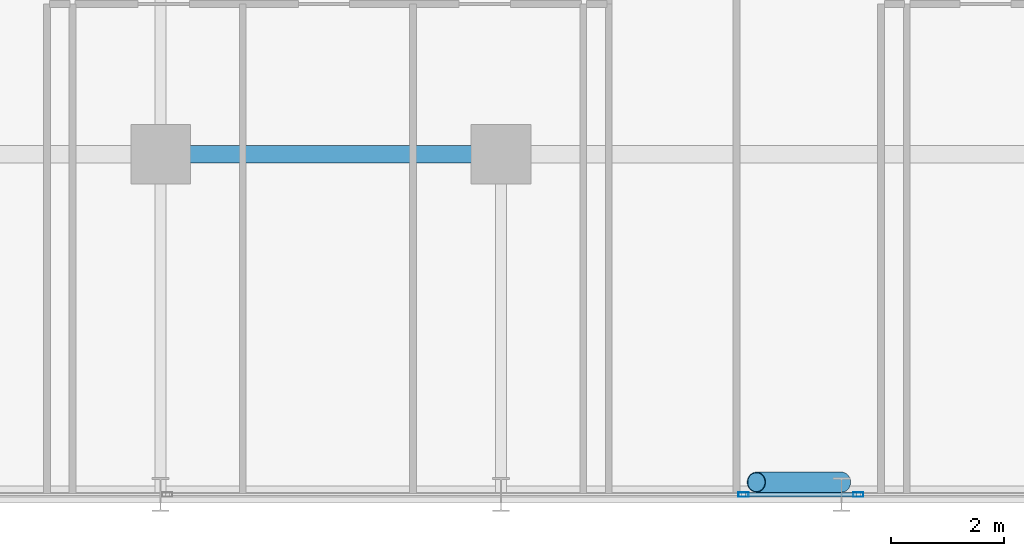
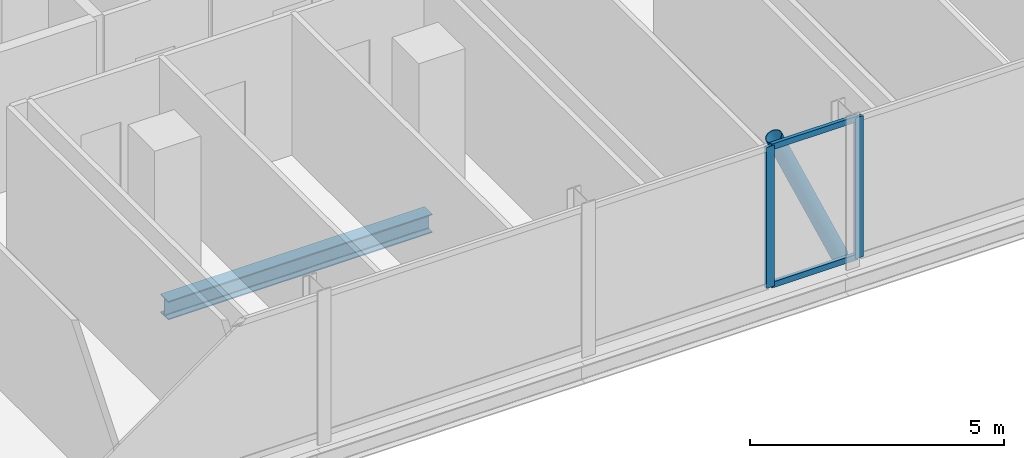
# One storey, part 8 of 29: 5 members, 1 beam, 2 elements without a shape of their own.
"""IFC4 building model written with IfcOpenShell, lengths in metres."""

from ifc_helpers import new_model, si_unit, direction, frame, origin, origin_2d, place, context, subcontext, project, spatial, hollow_rectangle, hollow_circle, i_section, extrude, material, layer, layer_set, material_profile, profile_set, type_object, element, aggregate, save


model = new_model("IFC4")

# Units and contexts
model_context = context("Model", 3, precision=1e-05, world=origin(), true_north=direction((0.0, 1.0)))
body_context = subcontext(model_context, "Body", "Model", "MODEL_VIEW")
ifc_project = project(units=[si_unit("LENGTHUNIT", "METRE"), si_unit("AREAUNIT", "SQUARE_METRE"), si_unit("VOLUMEUNIT", "CUBIC_METRE"), si_unit("PLANEANGLEUNIT", "RADIAN"), si_unit("MASSUNIT", "GRAM", prefix="KILO")], contexts=[model_context])

# Site, building, storey
site_placement = place(None, origin())
site = spatial("IfcSite", under=ifc_project, at=site_placement, CompositionType="ELEMENT")
building_placement = place(site_placement, origin())
building = spatial("IfcBuilding", under=site, at=building_placement, Name="Keshet Zoharim Tower", CompositionType="ELEMENT")
storey_placement = place(building_placement, frame((0.0, 0.0, 105.699951171875)))
storey = spatial("IfcBuildingStorey", under=building, at=storey_placement, Name="L25", CompositionType="ELEMENT", Elevation=105.699951171875)

# Beam
ifc_material_1 = material(Name="Steel S355", Category="steel")
ifc_material_profile_1 = material_profile(ifc_material_1, i_section(OverallWidth=0.300048828125, OverallDepth=0.449951171875, WebThickness=0.013916015625, FlangeThickness=0.02587890625, FilletRadius=0.027099609375, at=origin_2d()), Name="HEB450")
ifc_profile_set_1 = profile_set([ifc_material_profile_1], Name="Steel S355")
beam_type = type_object("IfcBeamType", Name="BM-WEB-HB450", PredefinedType="BEAM", material=ifc_profile_set_1)
beam_placement = place(storey_placement, frame((33.0, 6.699951171875, -0.5400390625), z_axis=(1.0, 0.0, 0.0), x_axis=(0.0, 1.0, 0.0)))
element("IfcBeam", 1, at=beam_placement, inside=storey, type_object=beam_type, Name="L25 Primary Girder X-007", PredefinedType="BEAM", context=body_context, shape_type="SweptSolid", body=[
    extrude(i_section(OverallWidth=0.300048828125, OverallDepth=0.449951171875, WebThickness=0.013916015625, FlangeThickness=0.02587890625, FilletRadius=0.027099609375, at=origin_2d()), origin(), (0.0, 0.0, 1.0), 6.0),
])

# Curtain wall, member
ifc_material_2 = material(Name="Aluminium 6063-T6", Category="aluminium")
ifc_layer = layer(ifc_material_2, 0.159912109375)
ifc_layer_set = layer_set([ifc_layer], Name="Aluminium 6063-T6")
curtain_wall_type = type_object("IfcCurtainWallType", Name="CW-SYS-03", PredefinedType="NOTDEFINED", material=ifc_layer_set)
curtain_wall_1_placement = place(storey_placement, origin())
curtain_wall_1 = element("IfcCurtainWall", 2, at=curtain_wall_1_placement, inside=storey, type_object=curtain_wall_type, Name="L25 Unitised Curtain Wall 03", PredefinedType="NOTDEFINED")
ifc_material_profile_2 = material_profile(ifc_material_2, hollow_rectangle(XDim=0.080078125, YDim=0.179931640625, WallThickness=0.00439453125, at=origin_2d()), Name="MUL-80x180")
ifc_profile_set_2 = profile_set([ifc_material_profile_2], Name="Aluminium 6063-T6")
member_type_1 = type_object("IfcMemberType", Name="CWM-M18", PredefinedType="MULLION", material=ifc_profile_set_2)
member_1_placement = place(storey_placement, frame((45.297607421875, 0.699951171875, 0.0), z_axis=(0.0, 0.0, 1.0), x_axis=(0.0, -1.0, 0.0)))
member_1 = element("IfcMember", 3, at=member_1_placement, type_object=member_type_1, Name="CW-03 mullion 2", PredefinedType="MULLION", context=body_context, shape_type="SweptSolid", body=[
    extrude(hollow_rectangle(XDim=0.080078125, YDim=0.179931640625, WallThickness=0.00439453125, at=origin_2d()), origin(), (0.0, 0.0, 1.0), 3.385009765625),
])
aggregate(curtain_wall_1, [member_1])

# Curtain wall, members
curtain_wall_2_placement = place(storey_placement, origin())
curtain_wall_2 = element("IfcCurtainWall", 4, at=curtain_wall_2_placement, inside=storey, type_object=curtain_wall_type, Name="L25 Unitised Curtain Wall 03 Part 2", PredefinedType="NOTDEFINED")
member_2_placement = place(storey_placement, frame((43.2724609375, 0.699951171875, 0.0), z_axis=(0.0, 0.0, 1.0), x_axis=(0.0, -1.0, 0.0)))
member_2 = element("IfcMember", 5, at=member_2_placement, type_object=member_type_1, Name="CW-03 mullion 2", PredefinedType="MULLION", context=body_context, shape_type="SweptSolid", body=[
    extrude(hollow_rectangle(XDim=0.080078125, YDim=0.179931640625, WallThickness=0.00439453125, at=origin_2d()), origin(), (0.0, 0.0, 1.0), 3.385009765625),
])
ifc_material_profile_3 = material_profile(ifc_material_2, hollow_rectangle(XDim=0.080078125, YDim=0.139892578125, WallThickness=0.00390625, at=origin_2d()), Name="TRN-80x140")
ifc_profile_set_3 = profile_set([ifc_material_profile_3], Name="Aluminium 6063-T6")
member_type_2 = type_object("IfcMemberType", Name="CWT-T14", PredefinedType="USERDEFINED", material=ifc_profile_set_3)
member_3_placement = place(storey_placement, frame((45.2626953125, 0.699951171875, 0.03515625), z_axis=(-1.0, 0.0, 0.0), x_axis=(0.0, -1.0, 0.0)))
member_3 = element("IfcMember", 6, at=member_3_placement, type_object=member_type_2, Name="CW-03 transom 1.1", ObjectType="TRANSOM", PredefinedType="USERDEFINED", context=body_context, shape_type="SweptSolid", body=[
    extrude(hollow_rectangle(XDim=0.080078125, YDim=0.139892578125, WallThickness=0.00390625, at=origin_2d()), origin(), (0.0, 0.0, 1.0), 1.955322265625),
])
member_4_placement = place(storey_placement, frame((45.2626953125, 0.699951171875, 3.35009765625), z_axis=(-1.0, 0.0, 0.0), x_axis=(0.0, -1.0, 0.0)))
member_4 = element("IfcMember", 7, at=member_4_placement, type_object=member_type_2, Name="CW-03 transom 1.2", ObjectType="TRANSOM", PredefinedType="USERDEFINED", context=body_context, shape_type="SweptSolid", body=[
    extrude(hollow_rectangle(XDim=0.080078125, YDim=0.139892578125, WallThickness=0.00390625, at=origin_2d()), origin(), (0.0, 0.0, 1.0), 1.955322265625),
])
aggregate(curtain_wall_2, [member_2, member_3, member_4])

# Member
ifc_material_profile_4 = material_profile(ifc_material_1, hollow_circle(Radius=0.177734375, WallThickness=0.012451171875, at=origin_2d()), Name="CHS355x12.5")
ifc_profile_set_4 = profile_set([ifc_material_profile_4], Name="Steel S355")
member_type_3 = type_object("IfcMemberType", Name="MB-BR-C355", PredefinedType="BRACE", material=ifc_profile_set_4)
member_5_placement = place(storey_placement, frame((45.0, 0.919921875, 0.0), z_axis=(-0.405134846829, 0.0, 0.91425694194), x_axis=(0.0, -1.0, 0.0)))
element("IfcMember", 8, at=member_5_placement, inside=storey, type_object=member_type_3, Name="L25 Perimeter Tube Brace 04", PredefinedType="BRACE", context=body_context, shape_type="SweptSolid", body=[
    extrude(hollow_circle(Radius=0.177734375, WallThickness=0.012451171875, at=origin_2d()), origin(), (0.0, 0.0, 1.0), 3.702392578125),
])

save(model, "model.ifc")
